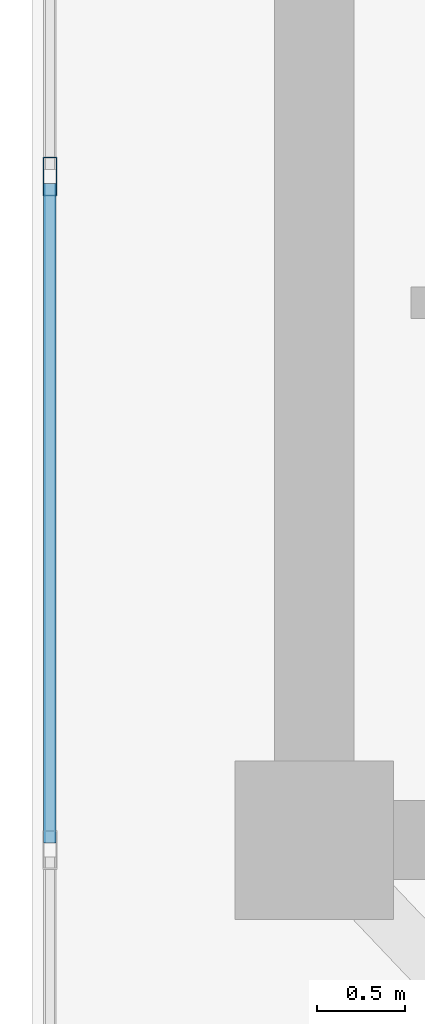
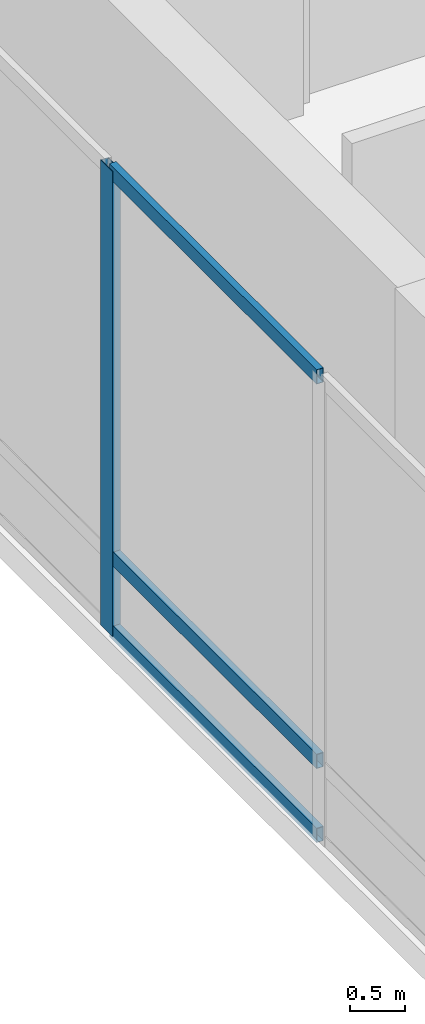
# One storey, part 6 of 30: 4 members, 1 element without a shape of its own.
"""IFC4 building model written with IfcOpenShell, lengths in metres."""

from ifc_helpers import new_model, si_unit, direction, frame, origin, origin_2d, place, context, subcontext, project, spatial, hollow_rectangle, extrude, source, transform, mapped, material, layer, layer_set, material_profile, profile_set, type_object, type_shapes, element, aggregate, save


model = new_model("IFC4")

# Units and contexts
model_context = context("Model", 3, precision=1e-05, world=origin(), true_north=direction((0.0, 1.0)))
body_context = subcontext(model_context, "Body", "Model", "MODEL_VIEW")
ifc_project = project(units=[si_unit("LENGTHUNIT", "METRE"), si_unit("AREAUNIT", "SQUARE_METRE"), si_unit("VOLUMEUNIT", "CUBIC_METRE"), si_unit("PLANEANGLEUNIT", "RADIAN"), si_unit("MASSUNIT", "GRAM", prefix="KILO")], contexts=[model_context])

# Site, building, storey
site_placement = place(None, origin())
site = spatial("IfcSite", under=ifc_project, at=site_placement, CompositionType="ELEMENT")
building_placement = place(site_placement, origin())
building = spatial("IfcBuilding", under=site, at=building_placement, Name="Haelvirn Gate Laboratories", CompositionType="ELEMENT")
storey_placement = place(building_placement, frame((0.0, 0.0, 332.39990234375)))
storey = spatial("IfcBuildingStorey", under=building, at=storey_placement, Name="L79", CompositionType="ELEMENT", Elevation=332.39990234375)

# Curtain wall, members
ifc_material_1 = material(Name="Anodised bronze unitised aluminium & triple low-E glass", Category="aluminium")
ifc_layer = layer(ifc_material_1, 0.19189453125, Name="CW-SYS-6")
ifc_layer_set = layer_set([ifc_layer], Name="Anodised bronze unitised aluminium & triple low-E glass")
curtain_wall_type = type_object("IfcCurtainWallType", Name="CW-SYS-6", PredefinedType="NOTDEFINED", material=ifc_layer_set)
curtain_wall_placement = place(storey_placement, origin())
curtain_wall = element("IfcCurtainWall", 1, at=curtain_wall_placement, inside=storey, type_object=curtain_wall_type, Name="L79 Unitised Curtain Wall CW-L79-P0-E17", PredefinedType="NOTDEFINED")
ifc_material_2 = material(Name="Extruded aluminium 6063-T6 (anodised bronze)", Category="aluminium")
ifc_material_profile_1 = material_profile(ifc_material_2, hollow_rectangle(XDim=0.080078125, YDim=0.219970703125, WallThickness=0.006103515625, at=origin_2d()), Name="CWM-220x80x6")
ifc_profile_set_1 = profile_set([ifc_material_profile_1], Name="Extruded aluminium 6063-T6 (anodised bronze)")
member_type_1 = type_object("IfcMemberType", Name="CWM-T220", PredefinedType="MULLION", material=ifc_profile_set_1)
shared_shape_1 = source(origin(), body_context, "Body", "SweptSolid", [
    extrude(hollow_rectangle(XDim=0.080078125, YDim=0.219970703125, WallThickness=0.006103515625, at=origin_2d()), origin(), (0.0, 0.0, 1.0), 5.1201171875),
])
type_shapes(member_type_1, [shared_shape_1])
member_1_placement = place(storey_placement, frame((5.89990234375, 18.566650390625, 0.0), z_axis=(0.0, 0.0, 1.0), x_axis=(1.0, 0.0, 0.0)))
member_1 = element("IfcMember", 2, at=member_1_placement, type_object=member_type_1, Name="CW6 mullion 7", PredefinedType="MULLION", context=body_context, shape_type="MappedRepresentation", body=[
    mapped(shared_shape_1, transform((0.0, 0.0, 0.0), scale=1.0)),
])
ifc_material_profile_2 = material_profile(ifc_material_2, hollow_rectangle(XDim=0.070068359375, YDim=0.159912109375, WallThickness=0.0048828125, at=origin_2d()), Name="CWT-160x70x5")
ifc_profile_set_2 = profile_set([ifc_material_profile_2], Name="Extruded aluminium 6063-T6 (anodised bronze)")
member_type_2 = type_object("IfcMemberType", Name="CWT-T160", PredefinedType="USERDEFINED", material=ifc_profile_set_2)
shared_shape_2 = source(origin(), body_context, "Body", "SweptSolid", [
    extrude(hollow_rectangle(XDim=0.070068359375, YDim=0.159912109375, WallThickness=0.0048828125, at=origin_2d()), origin(), (0.0, 0.0, 1.0), 3.7421875),
])
type_shapes(member_type_2, [shared_shape_2])
member_2_placement = place(storey_placement, frame((5.89990234375, 18.526611328125, 0.03515625), z_axis=(0.0, -1.0, 0.0), x_axis=(1.0, 0.0, 0.0)))
member_2 = element("IfcMember", 3, at=member_2_placement, type_object=member_type_2, Name="CW6 transom 7.1", ObjectType="TRANSOM", PredefinedType="USERDEFINED", context=body_context, shape_type="MappedRepresentation", body=[
    mapped(shared_shape_2, transform((0.0, 0.0, 0.0), scale=1.0)),
])
member_3_placement = place(storey_placement, frame((5.89990234375, 18.526611328125, 0.85009765625), z_axis=(0.0, -1.0, 0.0), x_axis=(1.0, 0.0, 0.0)))
member_3 = element("IfcMember", 4, at=member_3_placement, type_object=member_type_2, Name="CW6 transom 7.2", ObjectType="TRANSOM", PredefinedType="USERDEFINED", context=body_context, shape_type="MappedRepresentation", body=[
    mapped(shared_shape_2, transform((0.0, 0.0, 0.0), scale=1.0)),
])
member_4_placement = place(storey_placement, frame((5.89990234375, 18.526611328125, 5.085205078125), z_axis=(0.0, -1.0, 0.0), x_axis=(1.0, 0.0, 0.0)))
member_4 = element("IfcMember", 5, at=member_4_placement, type_object=member_type_2, Name="CW6 transom 7.3", ObjectType="TRANSOM", PredefinedType="USERDEFINED", context=body_context, shape_type="MappedRepresentation", body=[
    mapped(shared_shape_2, transform((0.0, 0.0, 0.0), scale=1.0)),
])
aggregate(curtain_wall, [member_1, member_2, member_3, member_4])

save(model, "model.ifc")
